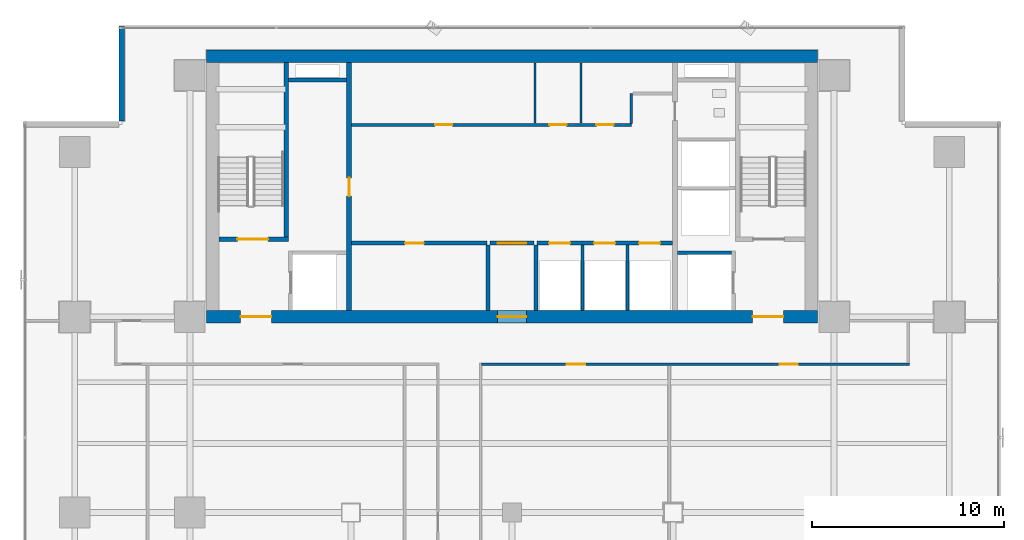
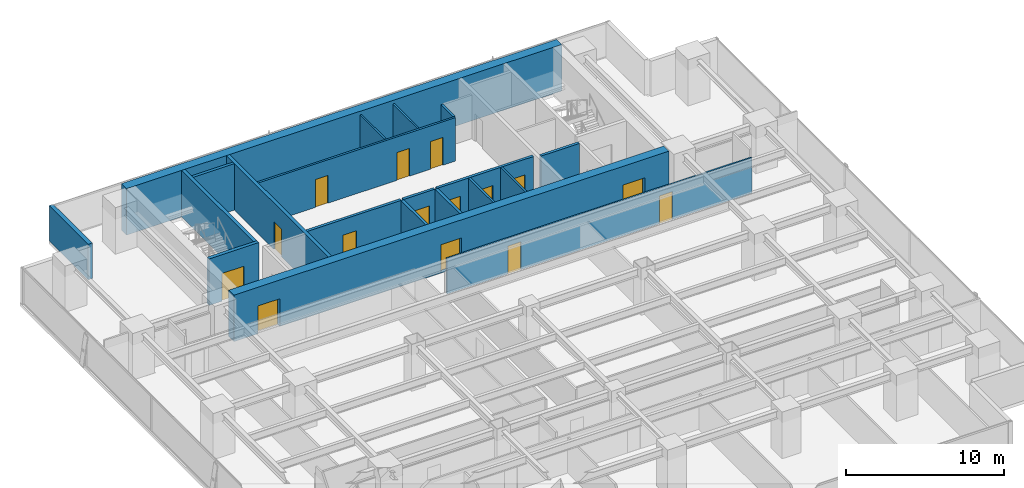
# One storey, part 29 of 36: 20 walls, 15 doors, 15 openings.
"""IFC4 building model written with IfcOpenShell, lengths in metres."""

from ifc_helpers import new_model, si_unit, direction, frame, frame_2d, origin, place, context, subcontext, project, spatial, rectangle, extrude, source, transform, mapped, material, layer, layer_set, type_object, element, fill, save


model = new_model("IFC4")

# Units and contexts
model_context = context("Model", 3, precision=1e-05, world=origin(), true_north=direction((0.0, 1.0)))
body_context = subcontext(model_context, "Body", "Model", "MODEL_VIEW")
ifc_project = project(units=[si_unit("LENGTHUNIT", "METRE"), si_unit("AREAUNIT", "SQUARE_METRE"), si_unit("VOLUMEUNIT", "CUBIC_METRE"), si_unit("PLANEANGLEUNIT", "RADIAN"), si_unit("MASSUNIT", "GRAM", prefix="KILO")], contexts=[model_context])

# Site, building, storey
site_placement = place(None, origin())
site = spatial("IfcSite", under=ifc_project, at=site_placement, CompositionType="ELEMENT")
building_placement = place(site_placement, origin())
building = spatial("IfcBuilding", under=site, at=building_placement, Name="Sumidabori Civic Tower", CompositionType="ELEMENT")
storey_placement = place(building_placement, frame((0.0, 0.0, 84.800048828125)))
storey = spatial("IfcBuildingStorey", under=building, at=storey_placement, Name="L21", CompositionType="ELEMENT", Elevation=84.800048828125)

# Walls
ifc_material_1 = material(Name="Concrete C50/60", Category="concrete")
ifc_layer_1 = layer(ifc_material_1, 0.199951171875, Name="Concrete C50/60")
ifc_layer_set_1 = layer_set([ifc_layer_1], Name="Concrete C50/60")
wall_type_1 = type_object("IfcWallType", Name="WL-SHAFT-200", PredefinedType="SHEAR", material=ifc_layer_set_1)
shared_shape_1 = source(origin(), body_context, "Body", "SweptSolid", [
    extrude(rectangle(XDim=2.824951171875, YDim=0.199951171875, at=frame_2d((1.41259765625, 0.0))), origin(), (0.0, 0.0, 1.0), 3.599853515625),
])
wall_1_placement = place(storey_placement, frame((8.625, 13.550048828125, 0.0), z_axis=(0.0, 0.0, 1.0), x_axis=(1.0, 0.0, 0.0)))
element("IfcWall", 1, at=wall_1_placement, inside=storey, type_object=wall_type_1, Name="Core Shear Wall L21 EL2-N", PredefinedType="SHEAR", context=body_context, shape_type="MappedRepresentation", body=[
    mapped(shared_shape_1, transform((0.0, 0.0, 0.0), x_axis=(1.0, 0.0, 0.0), y_axis=(0.0, 1.0, 0.0), z_axis=(0.0, 0.0, 1.0), scale=1.0)),
])
shared_shape_2 = source(origin(), body_context, "Body", "SweptSolid", [
    extrude(rectangle(XDim=3.02001953125, YDim=0.199951171875, at=frame_2d((1.510009765625, 0.0))), origin(), (0.0, 0.0, 1.0), 3.599853515625),
])
wall_2_placement = place(storey_placement, frame((-11.64501953125, 22.550048828125, 0.0), z_axis=(0.0, 0.0, 1.0), x_axis=(1.0, 0.0, 0.0)))
element("IfcWall", 2, at=wall_2_placement, inside=storey, type_object=wall_type_1, Name="Core Shear Wall L21 RIS1-S", PredefinedType="SHEAR", context=body_context, shape_type="MappedRepresentation", body=[
    mapped(shared_shape_2, transform((0.0, 0.0, 0.0), x_axis=(1.0, 0.0, 0.0), y_axis=(0.0, 1.0, 0.0), z_axis=(0.0, 0.0, 1.0), scale=1.0)),
])
ifc_material_2 = material(Name="Concrete C60/75", Category="concrete")
ifc_layer_2 = layer(ifc_material_2, 0.64990234375, Name="Concrete C60/75")
ifc_layer_set_2 = layer_set([ifc_layer_2], Name="Concrete C60/75")
wall_type_2 = type_object("IfcWallType", Name="WL-CORE-650", PredefinedType="SHEAR", material=ifc_layer_set_2)
shared_shape_3 = source(origin(), body_context, "Body", "SweptSolid", [
    extrude(rectangle(XDim=31.85009765625, YDim=0.64990234375, at=frame_2d((15.925048828125, 0.0))), origin(), (0.0, 0.0, 1.0), 3.599853515625),
])
wall_3_placement = place(storey_placement, frame((-15.925048828125, 23.800048828125, 0.0), z_axis=(0.0, 0.0, 1.0), x_axis=(1.0, 0.0, 0.0)))
element("IfcWall", 3, at=wall_3_placement, inside=storey, type_object=wall_type_2, Name="Core Shear Wall L21 N", PredefinedType="SHEAR", context=body_context, shape_type="MappedRepresentation", body=[
    mapped(shared_shape_3, transform((0.0, 0.0, 0.0), x_axis=(1.0, 0.0, 0.0), y_axis=(0.0, 1.0, 0.0), z_axis=(0.0, 0.0, 1.0), scale=1.0)),
])

# Wall, openings, doors
wall_4_placement = place(storey_placement, frame((-15.925048828125, 10.199951171875, 0.0), z_axis=(0.0, 0.0, 1.0), x_axis=(1.0, 0.0, 0.0)))
wall_4 = element("IfcWall", 4, at=wall_4_placement, inside=storey, type_object=wall_type_2, Name="Core Shear Wall L21 S", PredefinedType="SHEAR", context=body_context, shape_type="MappedRepresentation", body=[
    mapped(shared_shape_3, transform((0.0, 0.0, 0.0), x_axis=(1.0, 0.0, 0.0), y_axis=(0.0, 1.0, 0.0), z_axis=(0.0, 0.0, 1.0), scale=1.0)),
])
opening_1_placement = place(wall_4_placement, frame((1.77490234375, 0.0, 0.0)))
opening_1 = element("IfcOpeningElement", 5, at=opening_1_placement, cuts=wall_4, Name="Opening DR-FD4", PredefinedType="OPENING", context=body_context, shape_type="SweptSolid", body=[
    extrude(rectangle(XDim=1.60009765625, YDim=2.14990234375, at=frame_2d((0.800048828125, 1.074951171875))), frame((0.0, 0.3369140625, 0.0), z_axis=(0.0, -1.0, 0.0), x_axis=(1.0, 0.0, 0.0)), (0.0, 0.0, 1.0), 0.673828125),
])
opening_2_placement = place(wall_4_placement, frame((28.47509765625, 0.0, 0.0)))
opening_2 = element("IfcOpeningElement", 6, at=opening_2_placement, cuts=wall_4, Name="Opening DR-FD4", PredefinedType="OPENING", context=body_context, shape_type="SweptSolid", body=[
    extrude(rectangle(XDim=1.60009765625, YDim=2.14990234375, at=frame_2d((0.800048828125, 1.074951171875))), frame((0.0, 0.3369140625, 0.0), z_axis=(0.0, -1.0, 0.0), x_axis=(1.0, 0.0, 0.0)), (0.0, 0.0, 1.0), 0.673828125),
])
opening_3_placement = place(wall_4_placement, frame((15.175048828125, 0.0, 0.0)))
opening_3 = element("IfcOpeningElement", 7, at=opening_3_placement, cuts=wall_4, Name="Opening DR-FD3", PredefinedType="OPENING", context=body_context, shape_type="SweptSolid", body=[
    extrude(rectangle(XDim=1.5, YDim=2.199951171875, at=frame_2d((0.75, 1.10009765625))), frame((0.0, 0.3369140625, 0.0), z_axis=(0.0, -1.0, 0.0), x_axis=(1.0, 0.0, 0.0)), (0.0, 0.0, 1.0), 0.673828125),
])
ifc_material_3 = material(Name="Steel SN490", Category="steel")
door_type_1 = type_object("IfcDoorType", Name="DR-FD4", OperationType="DOUBLE_DOOR_SINGLE_SWING", PredefinedType="DOOR", material=ifc_material_3)
shared_shape_4 = source(origin(), body_context, "Body", "SweptSolid", [
    extrude(rectangle(XDim=1.60009765625, YDim=2.14990234375, at=frame_2d((0.800048828125, 1.074951171875))), frame((0.0, 0.02490234375, 0.0), z_axis=(0.0, -1.0, 0.0), x_axis=(1.0, 0.0, 0.0)), (0.0, 0.0, 1.0), 0.050048828125),
])
door_1_placement = place(opening_1_placement, origin())
door_1 = element("IfcDoor", 8, at=door_1_placement, inside=storey, type_object=door_type_1, Name="Door DR:L21:ELOB-W", OperationType="DOUBLE_DOOR_SINGLE_SWING", OverallHeight=2.14990234375, OverallWidth=1.60009765625, PredefinedType="DOOR", context=body_context, shape_type="MappedRepresentation", body=[
    mapped(shared_shape_4, transform((0.0, 0.0, 0.0), x_axis=(1.0, 0.0, 0.0), y_axis=(0.0, 1.0, 0.0), z_axis=(0.0, 0.0, 1.0), scale=1.0)),
])
fill(opening_1, door_1)
door_2_placement = place(opening_2_placement, origin())
door_2 = element("IfcDoor", 9, at=door_2_placement, inside=storey, type_object=door_type_1, Name="Door DR:L21:ELOB-E", OperationType="DOUBLE_DOOR_SINGLE_SWING", OverallHeight=2.14990234375, OverallWidth=1.60009765625, PredefinedType="DOOR", context=body_context, shape_type="MappedRepresentation", body=[
    mapped(shared_shape_4, transform((0.0, 0.0, 0.0), x_axis=(1.0, 0.0, 0.0), y_axis=(0.0, 1.0, 0.0), z_axis=(0.0, 0.0, 1.0), scale=1.0)),
])
fill(opening_2, door_2)
door_type_2 = type_object("IfcDoorType", Name="DR-FD-DBL", OperationType="DOUBLE_DOOR_SINGLE_SWING", PredefinedType="DOOR", material=ifc_material_3)
shared_shape_5 = source(origin(), body_context, "Body", "SweptSolid", [
    extrude(rectangle(XDim=1.5, YDim=2.199951171875, at=frame_2d((0.75, 1.10009765625))), frame((0.0, 0.02490234375, 0.0), z_axis=(0.0, -1.0, 0.0), x_axis=(1.0, 0.0, 0.0)), (0.0, 0.0, 1.0), 0.050048828125),
])
door_3_placement = place(opening_3_placement, origin())
door_3 = element("IfcDoor", 10, at=door_3_placement, inside=storey, type_object=door_type_2, Name="Door DR:L21:THROAT-OUT", OperationType="DOUBLE_DOOR_SINGLE_SWING", OverallHeight=2.199951171875, OverallWidth=1.5, PredefinedType="DOOR", context=body_context, shape_type="MappedRepresentation", body=[
    mapped(shared_shape_5, transform((0.0, 0.0, 0.0), x_axis=(1.0, 0.0, 0.0), y_axis=(0.0, 1.0, 0.0), z_axis=(0.0, 0.0, 1.0), scale=1.0)),
])
fill(opening_3, door_3)

# Wall, opening, door
ifc_layer_3 = layer(ifc_material_1, 0.25, Name="Concrete C50/60")
ifc_layer_set_3 = layer_set([ifc_layer_3], Name="Concrete C50/60")
wall_type_3 = type_object("IfcWallType", Name="WL-SHAFT-250", PredefinedType="SHEAR", material=ifc_layer_set_3)
shared_shape_6 = source(origin(), body_context, "Body", "SweptSolid", [
    extrude(rectangle(XDim=12.9501953125, YDim=0.25, at=frame_2d((6.47509765625, 0.0))), origin(), (0.0, 0.0, 1.0), 3.599853515625),
])
wall_5_placement = place(storey_placement, frame((-8.5, 10.52490234375, 0.0), z_axis=(0.0, 0.0, 1.0), x_axis=(0.0, 1.0, 0.0)))
wall_5 = element("IfcWall", 11, at=wall_5_placement, inside=storey, type_object=wall_type_3, Name="Core Shear Wall L21 WEB-W", PredefinedType="SHEAR", context=body_context, shape_type="MappedRepresentation", body=[
    mapped(shared_shape_6, transform((0.0, 0.0, 0.0), x_axis=(1.0, 0.0, 0.0), y_axis=(0.0, 1.0, 0.0), z_axis=(0.0, 0.0, 1.0), scale=1.0)),
])
opening_4_placement = place(wall_5_placement, frame((5.97509765625, 0.0, 0.0)))
opening_4 = element("IfcOpeningElement", 12, at=opening_4_placement, cuts=wall_5, Name="Opening DR-FD2", PredefinedType="OPENING", context=body_context, shape_type="SweptSolid", body=[
    extrude(rectangle(XDim=0.949951171875, YDim=2.14990234375, at=frame_2d((0.47509765625, 1.074951171875))), frame((0.0, 0.136962890625, 0.0), z_axis=(0.0, -1.0, 0.0), x_axis=(1.0, 0.0, 0.0)), (0.0, 0.0, 1.0), 0.27392578125),
])
door_type_3 = type_object("IfcDoorType", Name="DR-FD2", OperationType="NOTDEFINED", PredefinedType="DOOR", material=ifc_material_3)
shared_shape_7 = source(origin(), body_context, "Body", "SweptSolid", [
    extrude(rectangle(XDim=0.949951171875, YDim=2.14990234375, at=frame_2d((0.47509765625, 1.074951171875))), frame((0.0, 0.02490234375, 0.0), z_axis=(0.0, -1.0, 0.0), x_axis=(1.0, 0.0, 0.0)), (0.0, 0.0, 1.0), 0.050048828125),
])
door_4_placement = place(opening_4_placement, origin())
door_4 = element("IfcDoor", 13, at=door_4_placement, inside=storey, type_object=door_type_3, Name="Door DR:L21:CW-STR", OperationType="SINGLE_SWING_LEFT", OverallHeight=2.14990234375, OverallWidth=0.949951171875, PredefinedType="DOOR", context=body_context, shape_type="MappedRepresentation", body=[
    mapped(shared_shape_7, transform((0.0, 0.0, 0.0), x_axis=(1.0, 0.0, 0.0), y_axis=(0.0, 1.0, 0.0), z_axis=(0.0, 0.0, 1.0), scale=1.0)),
])
fill(opening_4, door_4)

shared_shape_8 = source(origin(), body_context, "Body", "SweptSolid", [
    extrude(rectangle(XDim=3.6298828125, YDim=0.25, at=frame_2d((1.81494140625, 0.0))), origin(), (0.0, 0.0, 1.0), 3.599853515625),
])
wall_6_placement = place(storey_placement, frame((-15.27490234375, 14.25, 0.0), z_axis=(0.0, 0.0, 1.0), x_axis=(1.0, 0.0, 0.0)))
wall_6 = element("IfcWall", 14, at=wall_6_placement, inside=storey, type_object=wall_type_3, Name="Core Shear Wall L21 ST1-S", PredefinedType="SHEAR", context=body_context, shape_type="MappedRepresentation", body=[
    mapped(shared_shape_8, transform((0.0, 0.0, 0.0), x_axis=(1.0, 0.0, 0.0), y_axis=(0.0, 1.0, 0.0), z_axis=(0.0, 0.0, 1.0), scale=1.0)),
])
opening_5_placement = place(wall_6_placement, frame((0.949951171875, 0.0, 0.0)))
opening_5 = element("IfcOpeningElement", 15, at=opening_5_placement, cuts=wall_6, Name="Opening DR-FD4", PredefinedType="OPENING", context=body_context, shape_type="SweptSolid", body=[
    extrude(rectangle(XDim=1.60009765625, YDim=2.14990234375, at=frame_2d((0.800048828125, 1.074951171875))), frame((0.0, 0.136962890625, 0.0), z_axis=(0.0, -1.0, 0.0), x_axis=(1.0, 0.0, 0.0)), (0.0, 0.0, 1.0), 0.27392578125),
])
door_5_placement = place(opening_5_placement, origin())
door_5 = element("IfcDoor", 16, at=door_5_placement, inside=storey, type_object=door_type_1, Name="Door DR:L21:ST1", OperationType="DOUBLE_DOOR_SINGLE_SWING", OverallHeight=2.14990234375, OverallWidth=1.60009765625, PredefinedType="DOOR", context=body_context, shape_type="MappedRepresentation", body=[
    mapped(shared_shape_4, transform((0.0, 0.0, 0.0), x_axis=(1.0, 0.0, 0.0), y_axis=(0.0, 1.0, 0.0), z_axis=(0.0, 0.0, 1.0), scale=1.0)),
])
fill(opening_5, door_5)

# Walls
shared_shape_9 = source(origin(), body_context, "Body", "SweptSolid", [
    extrude(rectangle(XDim=9.10009765625, YDim=0.25, at=frame_2d((4.550048828125, 0.0))), origin(), (0.0, 0.0, 1.0), 3.599853515625),
])
wall_7_placement = place(storey_placement, frame((-11.77001953125, 14.375, 0.0), z_axis=(0.0, 0.0, 1.0), x_axis=(0.0, 1.0, 0.0)))
element("IfcWall", 17, at=wall_7_placement, inside=storey, type_object=wall_type_3, Name="Core Shear Wall L21 ST1-E", PredefinedType="SHEAR", context=body_context, shape_type="MappedRepresentation", body=[
    mapped(shared_shape_9, transform((0.0, 0.0, 0.0), x_axis=(1.0, 0.0, 0.0), y_axis=(0.0, 1.0, 0.0), z_axis=(0.0, 0.0, 1.0), scale=1.0)),
])
ifc_material_4 = material(Name="Precast concrete C40/50", Category="concrete")
ifc_layer_4 = layer(ifc_material_4, 0.300048828125, Name="Precast concrete C40/50")
ifc_layer_set_4 = layer_set([ifc_layer_4], Name="Precast concrete C40/50")
wall_type_4 = type_object("IfcWallType", Name="WL-EXT-POD300", PredefinedType="STANDARD", material=ifc_layer_set_4)
shared_shape_10 = source(origin(), body_context, "Body", "SweptSolid", [
    extrude(rectangle(XDim=4.9599609375, YDim=0.300048828125, at=frame_2d((2.47998046875, 0.0))), origin(), (0.0, 0.0, 1.0), 2.739990234375),
])
wall_8_placement = place(storey_placement, frame((-20.35009765625, 25.3798828125, 0.0), z_axis=(0.0, 0.0, 1.0), x_axis=(0.0, -1.0, 0.0)))
element("IfcWall", 18, at=wall_8_placement, inside=storey, type_object=wall_type_4, Name="Notched Corner Spandrel Band L21-08", PredefinedType="STANDARD", context=body_context, shape_type="MappedRepresentation", body=[
    mapped(shared_shape_10, transform((0.0, 0.0, 0.0), x_axis=(1.0, 0.0, 0.0), y_axis=(0.0, 1.0, 0.0), z_axis=(0.0, 0.0, 1.0), scale=1.0)),
])

# Wall, opening, door
ifc_material_5 = material(Name="Gypsum Plasterboard Fire Partition")
ifc_layer_5 = layer(ifc_material_5, 0.199951171875, Name="Gypsum Plasterboard Fire Partition")
ifc_layer_set_5 = layer_set([ifc_layer_5], Name="Gypsum Plasterboard Fire Partition")
wall_type_5 = type_object("IfcWallType", Name="WL-PART-FIRE", PredefinedType="PARTITIONING", material=ifc_layer_set_5)
shared_shape_11 = source(origin(), body_context, "Body", "SweptSolid", [
    extrude(rectangle(XDim=7.070068359375, YDim=0.199951171875, at=frame_2d((3.53515625, 0.0))), origin(), (0.0, 0.0, 1.0), 3.35986328125),
])
wall_9_placement = place(storey_placement, frame((-8.3701171875, 14.050048828125, 0.0), z_axis=(0.0, 0.0, 1.0), x_axis=(1.0, 0.0, 0.0)))
wall_9 = element("IfcWall", 19, at=wall_9_placement, inside=storey, type_object=wall_type_5, Name="Interior Partition WL:L21:CBAND-SW", PredefinedType="PARTITIONING", context=body_context, shape_type="MappedRepresentation", body=[
    mapped(shared_shape_11, transform((0.0, 0.0, 0.0), x_axis=(1.0, 0.0, 0.0), y_axis=(0.0, 1.0, 0.0), z_axis=(0.0, 0.0, 1.0), scale=1.0)),
])
opening_6_placement = place(wall_9_placement, frame((2.800048828125, 0.0, 0.0)))
opening_6 = element("IfcOpeningElement", 20, at=opening_6_placement, cuts=wall_9, Name="Opening DR-3", PredefinedType="OPENING", context=body_context, shape_type="SweptSolid", body=[
    extrude(rectangle(XDim=0.97998046875, YDim=2.14990234375, at=frame_2d((0.489990234375, 1.074951171875))), frame((0.0, 0.11181640625, 0.0), z_axis=(0.0, -1.0, 0.0), x_axis=(1.0, 0.0, 0.0)), (0.0, 0.0, 1.0), 0.223876953125),
])
ifc_material_6 = material(Name="Japanese Hinoki Timber", Category="wood")
door_type_4 = type_object("IfcDoorType", Name="DR-INT-980", OperationType="NOTDEFINED", PredefinedType="DOOR", material=ifc_material_6)
shared_shape_12 = source(origin(), body_context, "Body", "SweptSolid", [
    extrude(rectangle(XDim=0.97998046875, YDim=2.14990234375, at=frame_2d((0.489990234375, 1.074951171875))), frame((0.0, 0.02490234375, 0.0), z_axis=(0.0, -1.0, 0.0), x_axis=(1.0, 0.0, 0.0)), (0.0, 0.0, 1.0), 0.050048828125),
])
door_6_placement = place(opening_6_placement, origin())
door_6 = element("IfcDoor", 21, at=door_6_placement, inside=storey, type_object=door_type_4, Name="Door DR:L21:REC-B1", OperationType="SINGLE_SWING_LEFT", OverallHeight=2.14990234375, OverallWidth=0.97998046875, PredefinedType="DOOR", context=body_context, shape_type="MappedRepresentation", body=[
    mapped(shared_shape_12, transform((0.0, 0.0, 0.0), x_axis=(1.0, 0.0, 0.0), y_axis=(0.0, 1.0, 0.0), z_axis=(0.0, 0.0, 1.0), scale=1.0)),
])
fill(opening_6, door_6)

# Wall, openings, doors
wall_10_placement = place(storey_placement, frame((1.300048828125, 14.050048828125, 0.0), z_axis=(0.0, 0.0, 1.0), x_axis=(1.0, 0.0, 0.0)))
wall_10 = element("IfcWall", 22, at=wall_10_placement, inside=storey, type_object=wall_type_5, Name="Interior Partition WL:L21:CBAND-SE", PredefinedType="PARTITIONING", context=body_context, shape_type="MappedRepresentation", body=[
    mapped(shared_shape_11, transform((0.0, 0.0, 0.0), x_axis=(1.0, 0.0, 0.0), y_axis=(0.0, 1.0, 0.0), z_axis=(0.0, 0.0, 1.0), scale=1.0)),
])
opening_7_placement = place(wall_10_placement, frame((0.6298828125, 0.0, 0.0)))
opening_7 = element("IfcOpeningElement", 23, at=opening_7_placement, cuts=wall_10, Name="Opening LD-1", PredefinedType="OPENING", context=body_context, shape_type="SweptSolid", body=[
    extrude(rectangle(XDim=1.10009765625, YDim=2.14990234375, at=frame_2d((0.550048828125, 1.074951171875))), frame((0.0, 0.11181640625, 0.0), z_axis=(0.0, -1.0, 0.0), x_axis=(1.0, 0.0, 0.0)), (0.0, 0.0, 1.0), 0.223876953125),
])
opening_8_placement = place(wall_10_placement, frame((2.97998046875, 0.0, 0.0)))
opening_8 = element("IfcOpeningElement", 24, at=opening_8_placement, cuts=wall_10, Name="Opening LD-1", PredefinedType="OPENING", context=body_context, shape_type="SweptSolid", body=[
    extrude(rectangle(XDim=1.10009765625, YDim=2.14990234375, at=frame_2d((0.550048828125, 1.074951171875))), frame((0.0, 0.11181640625, 0.0), z_axis=(0.0, -1.0, 0.0), x_axis=(1.0, 0.0, 0.0)), (0.0, 0.0, 1.0), 0.223876953125),
])
opening_9_placement = place(wall_10_placement, frame((5.330078125, 0.0, 0.0)))
opening_9 = element("IfcOpeningElement", 25, at=opening_9_placement, cuts=wall_10, Name="Opening LD-1", PredefinedType="OPENING", context=body_context, shape_type="SweptSolid", body=[
    extrude(rectangle(XDim=1.10009765625, YDim=2.14990234375, at=frame_2d((0.550048828125, 1.074951171875))), frame((0.0, 0.11181640625, 0.0), z_axis=(0.0, -1.0, 0.0), x_axis=(1.0, 0.0, 0.0)), (0.0, 0.0, 1.0), 0.223876953125),
])
ifc_material_7 = material(Name="Stainless Steel Hairline Finish", Category="steel")
door_type_5 = type_object("IfcDoorType", Name="DR-LD1", OperationType="DOUBLE_DOOR_SLIDING", PredefinedType="DOOR", material=ifc_material_7)
shared_shape_13 = source(origin(), body_context, "Body", "SweptSolid", [
    extrude(rectangle(XDim=1.10009765625, YDim=2.14990234375, at=frame_2d((0.550048828125, 1.074951171875))), frame((0.0, 0.02490234375, 0.0), z_axis=(0.0, -1.0, 0.0), x_axis=(1.0, 0.0, 0.0)), (0.0, 0.0, 1.0), 0.050048828125),
])
door_7_placement = place(opening_7_placement, origin())
door_7 = element("IfcDoor", 26, at=door_7_placement, inside=storey, type_object=door_type_5, Name="Door DR:L21:LD-PLM1", OperationType="DOUBLE_DOOR_SLIDING", OverallHeight=2.14990234375, OverallWidth=1.10009765625, PredefinedType="DOOR", context=body_context, shape_type="MappedRepresentation", body=[
    mapped(shared_shape_13, transform((0.0, 0.0, 0.0), x_axis=(1.0, 0.0, 0.0), y_axis=(0.0, 1.0, 0.0), z_axis=(0.0, 0.0, 1.0), scale=1.0)),
])
fill(opening_7, door_7)
door_8_placement = place(opening_8_placement, origin())
door_8 = element("IfcDoor", 27, at=door_8_placement, inside=storey, type_object=door_type_5, Name="Door DR:L21:LD-PLM2", OperationType="DOUBLE_DOOR_SLIDING", OverallHeight=2.14990234375, OverallWidth=1.10009765625, PredefinedType="DOOR", context=body_context, shape_type="MappedRepresentation", body=[
    mapped(shared_shape_13, transform((0.0, 0.0, 0.0), x_axis=(1.0, 0.0, 0.0), y_axis=(0.0, 1.0, 0.0), z_axis=(0.0, 0.0, 1.0), scale=1.0)),
])
fill(opening_8, door_8)
door_9_placement = place(opening_9_placement, origin())
door_9 = element("IfcDoor", 28, at=door_9_placement, inside=storey, type_object=door_type_5, Name="Door DR:L21:LD-PLM3", OperationType="DOUBLE_DOOR_SLIDING", OverallHeight=2.14990234375, OverallWidth=1.10009765625, PredefinedType="DOOR", context=body_context, shape_type="MappedRepresentation", body=[
    mapped(shared_shape_13, transform((0.0, 0.0, 0.0), x_axis=(1.0, 0.0, 0.0), y_axis=(0.0, 1.0, 0.0), z_axis=(0.0, 0.0, 1.0), scale=1.0)),
])
fill(opening_9, door_9)

# Wall, opening, door
shared_shape_14 = source(origin(), body_context, "Body", "SweptSolid", [
    extrude(rectangle(XDim=2.2998046875, YDim=0.199951171875, at=frame_2d((1.14990234375, 0.0))), origin(), (0.0, 0.0, 1.0), 3.35986328125),
])
wall_11_placement = place(storey_placement, frame((-1.14990234375, 14.050048828125, 0.0), z_axis=(0.0, 0.0, 1.0), x_axis=(1.0, 0.0, 0.0)))
wall_11 = element("IfcWall", 29, at=wall_11_placement, inside=storey, type_object=wall_type_5, Name="Interior Partition WL:L21:THROAT-N", PredefinedType="PARTITIONING", context=body_context, shape_type="MappedRepresentation", body=[
    mapped(shared_shape_14, transform((0.0, 0.0, 0.0), x_axis=(1.0, 0.0, 0.0), y_axis=(0.0, 1.0, 0.0), z_axis=(0.0, 0.0, 1.0), scale=1.0)),
])
opening_10_placement = place(wall_11_placement, frame((0.39990234375, 0.0, 0.0)))
opening_10 = element("IfcOpeningElement", 30, at=opening_10_placement, cuts=wall_11, Name="Opening DR-FD3", PredefinedType="OPENING", context=body_context, shape_type="SweptSolid", body=[
    extrude(rectangle(XDim=1.5, YDim=2.199951171875, at=frame_2d((0.75, 1.10009765625))), frame((0.0, 0.11181640625, 0.0), z_axis=(0.0, -1.0, 0.0), x_axis=(1.0, 0.0, 0.0)), (0.0, 0.0, 1.0), 0.223876953125),
])
door_10_placement = place(opening_10_placement, origin())
door_10 = element("IfcDoor", 31, at=door_10_placement, inside=storey, type_object=door_type_2, Name="Door DR:L21:THROAT-IN", OperationType="DOUBLE_DOOR_SINGLE_SWING", OverallHeight=2.199951171875, OverallWidth=1.5, PredefinedType="DOOR", context=body_context, shape_type="MappedRepresentation", body=[
    mapped(shared_shape_5, transform((0.0, 0.0, 0.0), x_axis=(1.0, 0.0, 0.0), y_axis=(0.0, 1.0, 0.0), z_axis=(0.0, 0.0, 1.0), scale=1.0)),
])
fill(opening_10, door_10)

# Wall, openings, doors
ifc_material_8 = material(Name="Gypsum Plasterboard Acoustic Partition")
ifc_layer_6 = layer(ifc_material_8, 0.14990234375, Name="Gypsum Plasterboard Acoustic Partition")
ifc_layer_set_6 = layer_set([ifc_layer_6], Name="Gypsum Plasterboard Acoustic Partition")
wall_type_6 = type_object("IfcWallType", Name="WL-PART-150", PredefinedType="PARTITIONING", material=ifc_layer_set_6)
shared_shape_15 = source(origin(), body_context, "Body", "SweptSolid", [
    extrude(rectangle(XDim=14.590087890625, YDim=0.14990234375, at=frame_2d((7.294921875, 0.0))), origin(), (0.0, 0.0, 1.0), 3.35986328125),
])
wall_12_placement = place(storey_placement, frame((-8.3701171875, 20.219970703125, 0.0), z_axis=(0.0, 0.0, 1.0), x_axis=(1.0, 0.0, 0.0)))
wall_12 = element("IfcWall", 32, at=wall_12_placement, inside=storey, type_object=wall_type_6, Name="Interior Partition WL:L21:CBAND-M", PredefinedType="PARTITIONING", context=body_context, shape_type="MappedRepresentation", body=[
    mapped(shared_shape_15, transform((0.0, 0.0, 0.0), x_axis=(1.0, 0.0, 0.0), y_axis=(0.0, 1.0, 0.0), z_axis=(0.0, 0.0, 1.0), scale=1.0)),
])
opening_11_placement = place(wall_12_placement, frame((4.360107421875, 0.0, 0.0)))
opening_11 = element("IfcOpeningElement", 33, at=opening_11_placement, cuts=wall_12, Name="Opening DR-1", PredefinedType="OPENING", context=body_context, shape_type="SweptSolid", body=[
    extrude(rectangle(XDim=0.89990234375, YDim=2.14990234375, at=frame_2d((0.449951171875, 1.074951171875))), frame((0.0, 0.0869140625, 0.0), z_axis=(0.0, -1.0, 0.0), x_axis=(1.0, 0.0, 0.0)), (0.0, 0.0, 1.0), 0.173828125),
])
opening_12_placement = place(wall_12_placement, frame((10.320068359375, 0.0, 0.0)))
opening_12 = element("IfcOpeningElement", 34, at=opening_12_placement, cuts=wall_12, Name="Opening DR-1", PredefinedType="OPENING", context=body_context, shape_type="SweptSolid", body=[
    extrude(rectangle(XDim=0.89990234375, YDim=2.14990234375, at=frame_2d((0.449951171875, 1.074951171875))), frame((0.0, 0.0869140625, 0.0), z_axis=(0.0, -1.0, 0.0), x_axis=(1.0, 0.0, 0.0)), (0.0, 0.0, 1.0), 0.173828125),
])
opening_13_placement = place(wall_12_placement, frame((12.77001953125, 0.0, 0.0)))
opening_13 = element("IfcOpeningElement", 35, at=opening_13_placement, cuts=wall_12, Name="Opening DR-1", PredefinedType="OPENING", context=body_context, shape_type="SweptSolid", body=[
    extrude(rectangle(XDim=0.89990234375, YDim=2.14990234375, at=frame_2d((0.449951171875, 1.074951171875))), frame((0.0, 0.0869140625, 0.0), z_axis=(0.0, -1.0, 0.0), x_axis=(1.0, 0.0, 0.0)), (0.0, 0.0, 1.0), 0.173828125),
])
door_type_6 = type_object("IfcDoorType", Name="DR-INT-900", OperationType="NOTDEFINED", PredefinedType="DOOR", material=ifc_material_6)
shared_shape_16 = source(origin(), body_context, "Body", "SweptSolid", [
    extrude(rectangle(XDim=0.89990234375, YDim=2.14990234375, at=frame_2d((0.449951171875, 1.074951171875))), frame((0.0, 0.02490234375, 0.0), z_axis=(0.0, -1.0, 0.0), x_axis=(1.0, 0.0, 0.0)), (0.0, 0.0, 1.0), 0.050048828125),
])
door_11_placement = place(opening_11_placement, origin())
door_11 = element("IfcDoor", 36, at=door_11_placement, inside=storey, type_object=door_type_6, Name="Door DR:L21:CB-1", OperationType="SINGLE_SWING_LEFT", OverallHeight=2.14990234375, OverallWidth=0.89990234375, PredefinedType="DOOR", context=body_context, shape_type="MappedRepresentation", body=[
    mapped(shared_shape_16, transform((0.0, 0.0, 0.0), x_axis=(1.0, 0.0, 0.0), y_axis=(0.0, 1.0, 0.0), z_axis=(0.0, 0.0, 1.0), scale=1.0)),
])
fill(opening_11, door_11)
door_12_placement = place(opening_12_placement, origin())
door_12 = element("IfcDoor", 37, at=door_12_placement, inside=storey, type_object=door_type_6, Name="Door DR:L21:CB-2", OperationType="SINGLE_SWING_RIGHT", OverallHeight=2.14990234375, OverallWidth=0.89990234375, PredefinedType="DOOR", context=body_context, shape_type="MappedRepresentation", body=[
    mapped(shared_shape_16, transform((0.0, 0.0, 0.0), x_axis=(1.0, 0.0, 0.0), y_axis=(0.0, 1.0, 0.0), z_axis=(0.0, 0.0, 1.0), scale=1.0)),
])
fill(opening_12, door_12)
door_13_placement = place(opening_13_placement, origin())
door_13 = element("IfcDoor", 38, at=door_13_placement, inside=storey, type_object=door_type_6, Name="Door DR:L21:CB-3", OperationType="SINGLE_SWING_LEFT", OverallHeight=2.14990234375, OverallWidth=0.89990234375, PredefinedType="DOOR", context=body_context, shape_type="MappedRepresentation", body=[
    mapped(shared_shape_16, transform((0.0, 0.0, 0.0), x_axis=(1.0, 0.0, 0.0), y_axis=(0.0, 1.0, 0.0), z_axis=(0.0, 0.0, 1.0), scale=1.0)),
])
fill(opening_13, door_13)

# Walls
shared_shape_17 = source(origin(), body_context, "Body", "SweptSolid", [
    extrude(rectangle(XDim=1.550048828125, YDim=0.14990234375, at=frame_2d((0.77490234375, 0.0))), origin(), (0.0, 0.0, 1.0), 3.35986328125),
])
wall_13_placement = place(storey_placement, frame((6.219970703125, 20.300048828125, 0.0), z_axis=(0.0, 0.0, 1.0), x_axis=(0.0, 1.0, 0.0)))
element("IfcWall", 39, at=wall_13_placement, inside=storey, type_object=wall_type_6, Name="Interior Partition WL:L21:CBAND-ME1", PredefinedType="PARTITIONING", context=body_context, shape_type="MappedRepresentation", body=[
    mapped(shared_shape_17, transform((0.0, 0.0, 0.0), x_axis=(1.0, 0.0, 0.0), y_axis=(0.0, 1.0, 0.0), z_axis=(0.0, 0.0, 1.0), scale=1.0)),
])
shared_shape_18 = source(origin(), body_context, "Body", "SweptSolid", [
    extrude(rectangle(XDim=3.4150390625, YDim=0.199951171875, at=frame_2d((1.70751953125, 0.0))), origin(), (0.0, 0.0, 1.0), 3.35986328125),
])
for number, where, z_axis, x_axis, name in (
    (40, (-1.25, 10.52490234375, 0.0), (0.0, 0.0, 1.0), (0.0, 1.0, 0.0), "Interior Partition WL:L21:THROAT-W"),
    (41, (1.25, 10.52490234375, 0.0), (0.0, 0.0, 1.0), (0.0, 1.0, 0.0), "Interior Partition WL:L21:THROAT-E"),
):
    element("IfcWall", number, at=place(storey_placement, frame(where, z_axis=z_axis, x_axis=x_axis)), inside=storey, type_object=wall_type_5, Name=name, PredefinedType="PARTITIONING", context=body_context, shape_type="MappedRepresentation", body=[
        mapped(shared_shape_18, transform((0.0, 0.0, 0.0), x_axis=(1.0, 0.0, 0.0), y_axis=(0.0, 1.0, 0.0), z_axis=(0.0, 0.0, 1.0), scale=1.0)),
    ])
shared_shape_19 = source(origin(), body_context, "Body", "SweptSolid", [
    extrude(rectangle(XDim=3.4150390625, YDim=0.14990234375, at=frame_2d((1.70751953125, 0.0))), origin(), (0.0, 0.0, 1.0), 3.35986328125),
])
for number, where, z_axis, x_axis, name in (
    (42, (3.669921875, 10.52490234375, 0.0), (0.0, 0.0, 1.0), (0.0, 1.0, 0.0), "Interior Partition WL:L21:DIV-PLM1"),
    (43, (6.02001953125, 10.52490234375, 0.0), (0.0, 0.0, 1.0), (0.0, 1.0, 0.0), "Interior Partition WL:L21:DIV-PLM2"),
):
    element("IfcWall", number, at=place(storey_placement, frame(where, z_axis=z_axis, x_axis=x_axis)), inside=storey, type_object=wall_type_6, Name=name, PredefinedType="PARTITIONING", context=body_context, shape_type="MappedRepresentation", body=[
        mapped(shared_shape_19, transform((0.0, 0.0, 0.0), x_axis=(1.0, 0.0, 0.0), y_axis=(0.0, 1.0, 0.0), z_axis=(0.0, 0.0, 1.0), scale=1.0)),
    ])
ifc_layer_7 = layer(ifc_material_8, 0.1201171875, Name="Gypsum Plasterboard Acoustic Partition")
ifc_layer_set_7 = layer_set([ifc_layer_7], Name="Gypsum Plasterboard Acoustic Partition")
wall_type_7 = type_object("IfcWallType", Name="WL-PART-120", PredefinedType="PARTITIONING", material=ifc_layer_set_7)
shared_shape_20 = source(origin(), body_context, "Body", "SweptSolid", [
    extrude(rectangle(XDim=3.114990234375, YDim=0.1201171875, at=frame_2d((1.5576171875, 0.0))), origin(), (0.0, 0.0, 1.0), 3.35986328125),
])
for number, where, z_axis, x_axis, name in (
    (44, (1.199951171875, 20.320068359375, 0.0), (0.0, 0.0, 1.0), (0.0, 1.0, 0.0), "Interior Partition WL:L21:LV8-S1"),
    (45, (3.60009765625, 20.320068359375, 0.0), (0.0, 0.0, 1.0), (0.0, 1.0, 0.0), "Interior Partition WL:L21:LV8-S2"),
):
    element("IfcWall", number, at=place(storey_placement, frame(where, z_axis=z_axis, x_axis=x_axis)), inside=storey, type_object=wall_type_7, Name=name, PredefinedType="PARTITIONING", context=body_context, shape_type="MappedRepresentation", body=[
        mapped(shared_shape_20, transform((0.0, 0.0, 0.0), x_axis=(1.0, 0.0, 0.0), y_axis=(0.0, 1.0, 0.0), z_axis=(0.0, 0.0, 1.0), scale=1.0)),
    ])

# Wall, openings, doors
shared_shape_21 = source(origin(), body_context, "Body", "SweptSolid", [
    extrude(rectangle(XDim=22.300048828125, YDim=0.1201171875, at=frame_2d((11.14990234375, 0.0))), origin(), (0.0, 0.0, 1.0), 2.744873046875),
])
wall_14_placement = place(storey_placement, frame((-1.580078125, 7.739990234375, 0.0), z_axis=(0.0, 0.0, 1.0), x_axis=(1.0, 0.0, 0.0)))
wall_14 = element("IfcWall", 46, at=wall_14_placement, inside=storey, type_object=wall_type_7, Name="Interior Partition WL:L21:CORR-SE", PredefinedType="PARTITIONING", context=body_context, shape_type="MappedRepresentation", body=[
    mapped(shared_shape_21, transform((0.0, 0.0, 0.0), x_axis=(1.0, 0.0, 0.0), y_axis=(0.0, 1.0, 0.0), z_axis=(0.0, 0.0, 1.0), scale=1.0)),
])
opening_14_placement = place(wall_14_placement, frame((4.445068359375, 0.0, 0.0)))
opening_14 = element("IfcOpeningElement", 47, at=opening_14_placement, cuts=wall_14, Name="Opening DR-2", PredefinedType="OPENING", context=body_context, shape_type="SweptSolid", body=[
    extrude(rectangle(XDim=0.949951171875, YDim=2.14990234375, at=frame_2d((0.47509765625, 1.074951171875))), frame((0.0, 0.072021484375, 0.0), z_axis=(0.0, -1.0, 0.0), x_axis=(1.0, 0.0, 0.0)), (0.0, 0.0, 1.0), 0.14404296875),
])
opening_15_placement = place(wall_14_placement, frame((15.534912109375, 0.0, 0.0)))
opening_15 = element("IfcOpeningElement", 48, at=opening_15_placement, cuts=wall_14, Name="Opening DR-2", PredefinedType="OPENING", context=body_context, shape_type="SweptSolid", body=[
    extrude(rectangle(XDim=0.949951171875, YDim=2.14990234375, at=frame_2d((0.47509765625, 1.074951171875))), frame((0.0, 0.072021484375, 0.0), z_axis=(0.0, -1.0, 0.0), x_axis=(1.0, 0.0, 0.0)), (0.0, 0.0, 1.0), 0.14404296875),
])
door_type_7 = type_object("IfcDoorType", Name="DR-INT-950", OperationType="NOTDEFINED", PredefinedType="DOOR", material=ifc_material_6)
shared_shape_22 = source(origin(), body_context, "Body", "SweptSolid", [
    extrude(rectangle(XDim=0.949951171875, YDim=2.14990234375, at=frame_2d((0.47509765625, 1.074951171875))), frame((0.0, 0.02490234375, 0.0), z_axis=(0.0, -1.0, 0.0), x_axis=(1.0, 0.0, 0.0)), (0.0, 0.0, 1.0), 0.050048828125),
])
door_14_placement = place(opening_14_placement, origin())
door_14 = element("IfcDoor", 49, at=door_14_placement, inside=storey, type_object=door_type_7, Name="Door DR:L21:D04", OperationType="SINGLE_SWING_RIGHT", OverallHeight=2.14990234375, OverallWidth=0.949951171875, PredefinedType="DOOR", context=body_context, shape_type="MappedRepresentation", body=[
    mapped(shared_shape_22, transform((0.0, 0.0, 0.0), x_axis=(1.0, 0.0, 0.0), y_axis=(0.0, 1.0, 0.0), z_axis=(0.0, 0.0, 1.0), scale=1.0)),
])
fill(opening_14, door_14)
door_15_placement = place(opening_15_placement, origin())
door_15 = element("IfcDoor", 50, at=door_15_placement, inside=storey, type_object=door_type_7, Name="Door DR:L21:D06", OperationType="SINGLE_SWING_RIGHT", OverallHeight=2.14990234375, OverallWidth=0.949951171875, PredefinedType="DOOR", context=body_context, shape_type="MappedRepresentation", body=[
    mapped(shared_shape_22, transform((0.0, 0.0, 0.0), x_axis=(1.0, 0.0, 0.0), y_axis=(0.0, 1.0, 0.0), z_axis=(0.0, 0.0, 1.0), scale=1.0)),
])
fill(opening_15, door_15)

save(model, "model.ifc")
